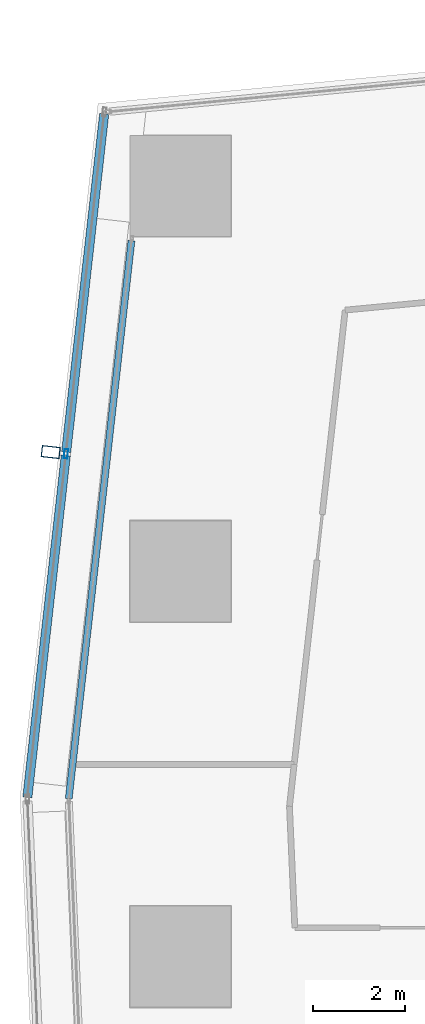
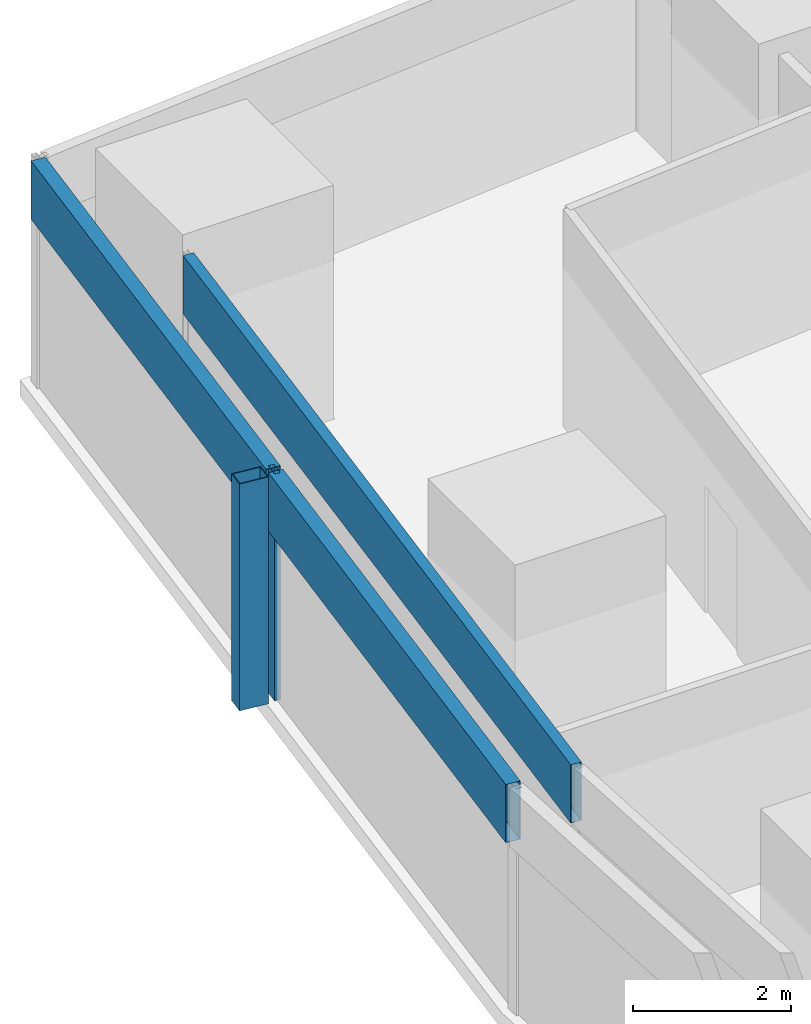
# One storey, part 13 of 42: 5 members, 2 elements without a shape of their own.
"""IFC4 building model written with IfcOpenShell, lengths in metres."""

from ifc_helpers import new_model, si_unit, direction, frame, origin, origin_2d, place, context, subcontext, project, spatial, hollow_rectangle, extrude, material, material_profile, profile_set, type_object, element, aggregate, save


model = new_model("IFC4")

# Units and contexts
model_context = context("Model", 3, precision=1e-05, world=origin(), true_north=direction((0.0, 1.0)))
body_context = subcontext(model_context, "Body", "Model", "MODEL_VIEW")
ifc_project = project(units=[si_unit("LENGTHUNIT", "METRE"), si_unit("AREAUNIT", "SQUARE_METRE"), si_unit("VOLUMEUNIT", "CUBIC_METRE"), si_unit("PLANEANGLEUNIT", "RADIAN"), si_unit("MASSUNIT", "GRAM", prefix="KILO")], contexts=[model_context])

# Site, building, storey
site_placement = place(None, origin())
site = spatial("IfcSite", under=ifc_project, at=site_placement, CompositionType="ELEMENT")
building_placement = place(site_placement, origin())
building = spatial("IfcBuilding", under=site, at=building_placement, Name="Rekha Terrace Tower", CompositionType="ELEMENT")
storey_placement = place(building_placement, frame((0.0, 0.0, 55.39990234375)))
storey = spatial("IfcBuildingStorey", under=building, at=storey_placement, Name="L13", CompositionType="ELEMENT", Elevation=55.39990234375)

# Curtain wall, member
ifc_material_1 = material(Name="Aluminium framing", Category="aluminium")
curtain_wall_type_1 = type_object("IfcCurtainWallType", Name="CW2 double skin outer glazing", PredefinedType="USERDEFINED", material=ifc_material_1)
curtain_wall_1_placement = place(storey_placement, origin())
curtain_wall_1 = element("IfcCurtainWall", 1, at=curtain_wall_1_placement, inside=storey, type_object=curtain_wall_type_1, Name="CW2 double skin outer glazing", ObjectType="DOUBLE SKIN OUTER GLAZING", PredefinedType="USERDEFINED")
ifc_material_2 = material(Name="Steel S355 with fluorocarbon finish", Category="steel")
ifc_material_profile_1 = material_profile(ifc_material_2, hollow_rectangle(XDim=0.25, YDim=0.39990234375, WallThickness=0.012451171875, at=origin_2d()), Name="RHS400x250x12.5")
ifc_profile_set_1 = profile_set([ifc_material_profile_1], Name="Steel S355 with fluorocarbon finish")
member_type_1 = type_object("IfcMemberType", Name="BL1 facade blade RHS 400 x 250", PredefinedType="USERDEFINED", material=ifc_profile_set_1)
member_1_placement = place(storey_placement, frame((5.569580078125, 53.001220703125, 0.0), z_axis=(0.0, 0.0, 1.0), x_axis=(-0.111729096216, -0.993738702607, 0.0)))
member_1 = element("IfcMember", 2, at=member_1_placement, type_object=member_type_1, Name="Facade blade", ObjectType="FACADE BLADE", PredefinedType="USERDEFINED", context=body_context, shape_type="SweptSolid", body=[
    extrude(hollow_rectangle(XDim=0.25, YDim=0.39990234375, WallThickness=0.012451171875, at=origin_2d()), origin(), (0.0, 0.0, 1.0), 3.5),
])

curtain_wall_type_2 = type_object("IfcCurtainWallType", Name="CW1 double skin inner glazing", PredefinedType="USERDEFINED", material=ifc_material_1)
curtain_wall_2_placement = place(storey_placement, origin())
curtain_wall_2 = element("IfcCurtainWall", 3, at=curtain_wall_2_placement, inside=storey, type_object=curtain_wall_type_2, Name="CW1 double skin inner glazing", ObjectType="DOUBLE SKIN INNER GLAZING", PredefinedType="USERDEFINED")
ifc_material_3 = material(Name="Insulated aluminium spandrel box", Category="aluminium")
ifc_material_profile_2 = material_profile(ifc_material_3, hollow_rectangle(XDim=0.14990234375, YDim=0.89990234375, WallThickness=0.0029296875, at=origin_2d()), Name="AL SPANDREL BOX 150x900")
ifc_profile_set_2 = profile_set([ifc_material_profile_2], Name="Insulated aluminium spandrel box")
member_type_2 = type_object("IfcMemberType", Name="CW1 spandrel transom 150 x 900", PredefinedType="USERDEFINED", material=ifc_profile_set_2)
member_2_placement = place(storey_placement, frame((7.33056640625, 57.611083984375, 3.050048828125), z_axis=(-0.111720442276, -0.993739675558, 0.0), x_axis=(0.993739675558, -0.111720442276, 0.0)))
member_2 = element("IfcMember", 4, at=member_2_placement, type_object=member_type_2, Name="CW1 spandrel transom 1", ObjectType="TRANSOM", PredefinedType="USERDEFINED", context=body_context, shape_type="SweptSolid", body=[
    extrude(hollow_rectangle(XDim=0.14990234375, YDim=0.89990234375, WallThickness=0.0029296875, at=origin_2d()), origin(), (0.0, 0.0, 1.0), 12.244140625),
])
aggregate(curtain_wall_2, [member_2])

# Member
ifc_material_4 = material(Name="Aluminium mullion section", Category="aluminium")
ifc_material_profile_3 = material_profile(ifc_material_4, hollow_rectangle(XDim=0.080078125, YDim=0.199951171875, WallThickness=0.00390625, at=origin_2d()), Name="AL RHS 80x200")
ifc_profile_set_3 = profile_set([ifc_material_profile_3], Name="Aluminium mullion section")
member_type_3 = type_object("IfcMemberType", Name="CW2 mullion RHS 80 x 200", PredefinedType="MULLION", material=ifc_profile_set_3)
member_3_placement = place(storey_placement, frame((5.90234375, 52.9638671875, 0.0), z_axis=(0.0, 0.0, 1.0), x_axis=(0.99373861552, -0.111729870782, 0.0)))
member_3 = element("IfcMember", 5, at=member_3_placement, type_object=member_type_3, Name="CW2 mullion 2", PredefinedType="MULLION", context=body_context, shape_type="SweptSolid", body=[
    extrude(hollow_rectangle(XDim=0.080078125, YDim=0.199951171875, WallThickness=0.00390625, at=origin_2d()), origin(), (0.0, 0.0, 1.0), 3.5),
])

ifc_material_profile_4 = material_profile(ifc_material_3, hollow_rectangle(XDim=0.199951171875, YDim=0.89990234375, WallThickness=0.0029296875, at=origin_2d()), Name="AL SPANDREL BOX 200x900")
ifc_profile_set_4 = profile_set([ifc_material_profile_4], Name="Insulated aluminium spandrel box")
member_type_4 = type_object("IfcMemberType", Name="CW2 spandrel transom 200 x 900", PredefinedType="USERDEFINED", material=ifc_profile_set_4)
member_4_placement = place(storey_placement, frame((6.735595703125, 60.37353515625, 3.050048828125), z_axis=(-0.111728537773, -0.993738765394, 0.0), x_axis=(0.993738765394, -0.111728537773, 0.0)))
member_4 = element("IfcMember", 6, at=member_4_placement, type_object=member_type_4, Name="CW2 spandrel transom 1", ObjectType="TRANSOM", PredefinedType="USERDEFINED", context=body_context, shape_type="SweptSolid", body=[
    extrude(hollow_rectangle(XDim=0.199951171875, YDim=0.89990234375, WallThickness=0.0029296875, at=origin_2d()), origin(), (0.0, 0.0, 1.0), 7.416259765625),
])

member_5_placement = place(storey_placement, frame((5.89794921875, 52.924072265625, 3.050048828125), z_axis=(-0.111739697795, -0.993737510582, 0.0), x_axis=(0.993737510582, -0.111739697795, 0.0)))
member_5 = element("IfcMember", 7, at=member_5_placement, type_object=member_type_4, Name="CW2 spandrel transom 2", ObjectType="TRANSOM", PredefinedType="USERDEFINED", context=body_context, shape_type="SweptSolid", body=[
    extrude(hollow_rectangle(XDim=0.199951171875, YDim=0.89990234375, WallThickness=0.0029296875, at=origin_2d()), origin(), (0.0, 0.0, 1.0), 7.496337890625),
])

aggregate(curtain_wall_1, [member_3, member_4, member_5, member_1])

save(model, "model.ifc")
